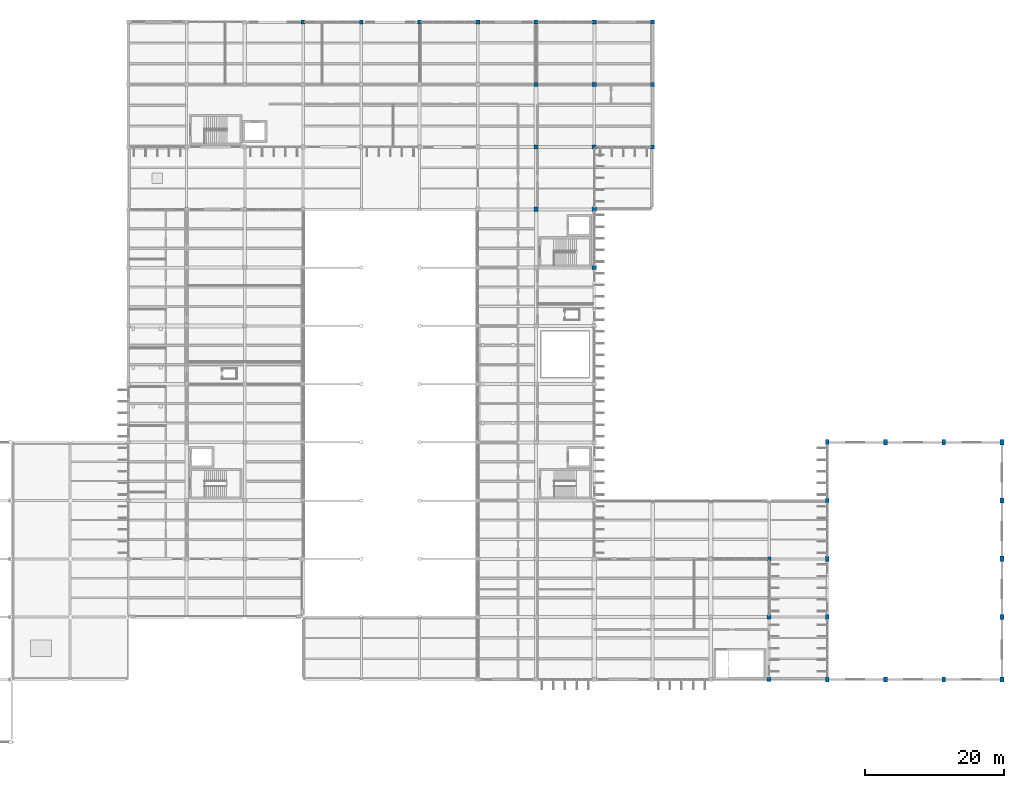
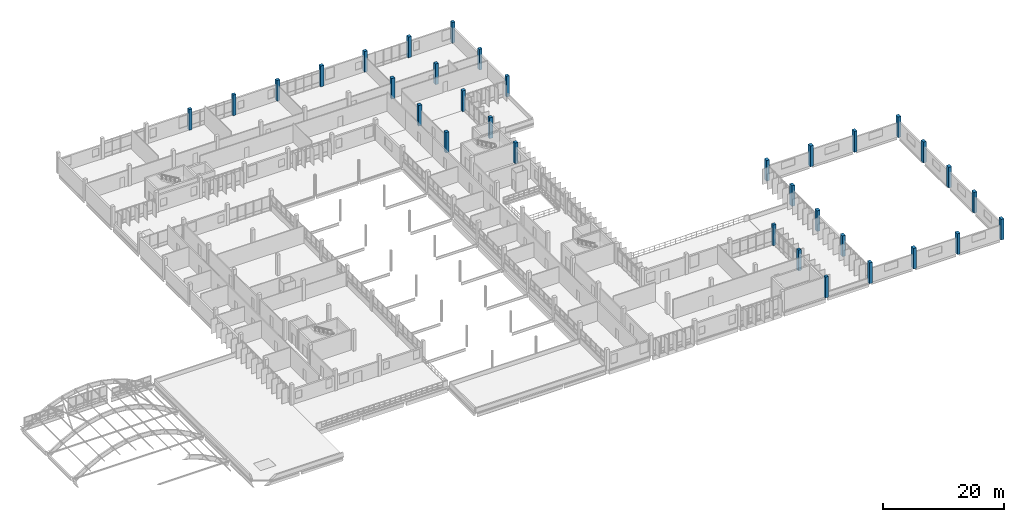
# One storey, part 7 of 130: 33 columns.
"""IFC4 building model written with IfcOpenShell, lengths in metres."""

from ifc_helpers import new_model, si_unit, direction, frame, origin, origin_2d, place, context, subcontext, project, spatial, rectangle, extrude, material, material_profile, profile_set, type_object, element, save


model = new_model("IFC4")

# Units and contexts
model_context = context("Model", 3, precision=1e-05, world=origin(), true_north=direction((0.0, 1.0)))
body_context = subcontext(model_context, "Body", "Model", "MODEL_VIEW")
ifc_project = project(units=[si_unit("LENGTHUNIT", "METRE"), si_unit("AREAUNIT", "SQUARE_METRE"), si_unit("VOLUMEUNIT", "CUBIC_METRE"), si_unit("PLANEANGLEUNIT", "RADIAN"), si_unit("MASSUNIT", "GRAM", prefix="KILO")], contexts=[model_context])

# Site, building, storey
site_placement = place(None, origin())
site = spatial("IfcSite", under=ifc_project, at=site_placement, CompositionType="ELEMENT")
building_placement = place(site_placement, origin())
building = spatial("IfcBuilding", under=site, at=building_placement, Name="Vireocrest Preparatory School", CompositionType="ELEMENT")
storey_placement = place(building_placement, frame((0.0, 0.0, 9.0)))
storey = spatial("IfcBuildingStorey", under=building, at=storey_placement, Name="L02", CompositionType="ELEMENT", Elevation=9.0)

# Columns
ifc_material = material(Name="Concrete 45 MPa", Category="concrete")
ifc_material_profile_1 = material_profile(ifc_material, rectangle(XDim=0.550048828125, YDim=0.550048828125, at=origin_2d()), Name="RC 550x550")
ifc_profile_set_1 = profile_set([ifc_material_profile_1], Name="Concrete 45 MPa")
column_type_1 = type_object("IfcColumnType", Name="RC Column 550x550", PredefinedType="COLUMN", material=ifc_profile_set_1)
for number, where, z_axis, x_axis, name in (
    (1, (67.199951171875, 112.800048828125, 0.0), (0.0, 0.0, 1.0), (1.0, 0.0, 0.0), "Column C04 L02 9/P"),
    (2, (75.60009765625, 112.800048828125, 0.0), (0.0, 0.0, 1.0), (1.0, 0.0, 0.0), "Column C04 L02 10/P"),
    (3, (84.0, 112.800048828125, 0.0), (0.0, 0.0, 1.0), (1.0, 0.0, 0.0), "Column C04 L02 11/P"),
    (4, (117.60009765625, 94.800048828125, 0.0), (0.0, 0.0, 1.0), (1.0, 0.0, 0.0), "Column C04 L02 15/M"),
    (5, (117.60009765625, 103.800048828125, 0.0), (0.0, 0.0, 1.0), (1.0, 0.0, 0.0), "Column C04 L02 15/N"),
    (6, (117.60009765625, 112.800048828125, 0.0), (0.0, 0.0, 1.0), (1.0, 0.0, 0.0), "Column C04 L02 15/P"),
    (7, (134.39990234375, 18.0, 0.0), (0.0, 0.0, 1.0), (1.0, 0.0, 0.0), "Column C04 L02 17/C"),
    (8, (134.39990234375, 27.0, 0.0), (0.0, 0.0, 1.0), (1.0, 0.0, 0.0), "Column C04 L02 17/D"),
    (9, (134.39990234375, 35.39990234375, 0.0), (0.0, 0.0, 1.0), (1.0, 0.0, 0.0), "Column C04 L02 17/E"),
):
    element("IfcColumn", number, at=place(storey_placement, frame(where, z_axis=z_axis, x_axis=x_axis)), inside=storey, type_object=column_type_1, Name=name, PredefinedType="COLUMN", context=body_context, shape_type="SweptSolid", body=[
        extrude(rectangle(XDim=0.550048828125, YDim=0.550048828125, at=origin_2d()), origin(), (0.0, 0.0, 1.0), 4.199951171875),
    ])
ifc_material_profile_2 = material_profile(ifc_material, rectangle(XDim=0.60009765625, YDim=0.60009765625, at=origin_2d()), Name="RC 600x600")
ifc_profile_set_2 = profile_set([ifc_material_profile_2], Name="Concrete 45 MPa")
column_type_2 = type_object("IfcColumnType", Name="RC Column 600x600", PredefinedType="COLUMN", material=ifc_profile_set_2)
for number, where, z_axis, x_axis, name in (
    (10, (92.39990234375, 112.800048828125, 0.0), (0.0, 0.0, 1.0), (1.0, 0.0, 0.0), "Column C05 L02 12/P"),
    (11, (100.800048828125, 85.800048828125, 0.0), (0.0, 0.0, 1.0), (1.0, 0.0, 0.0), "Column C05 L02 13/L"),
    (12, (100.800048828125, 94.800048828125, 0.0), (0.0, 0.0, 1.0), (1.0, 0.0, 0.0), "Column C05 L02 13/M"),
    (13, (100.800048828125, 103.800048828125, 0.0), (0.0, 0.0, 1.0), (1.0, 0.0, 0.0), "Column C05 L02 13/N"),
    (14, (100.800048828125, 112.800048828125, 0.0), (0.0, 0.0, 1.0), (1.0, 0.0, 0.0), "Column C05 L02 13/P"),
    (15, (109.199951171875, 77.39990234375, 0.0), (0.0, 0.0, 1.0), (1.0, 0.0, 0.0), "Column C05 L02 14/K"),
    (16, (109.199951171875, 85.800048828125, 0.0), (0.0, 0.0, 1.0), (1.0, 0.0, 0.0), "Column C05 L02 14/L"),
    (17, (109.199951171875, 94.800048828125, 0.0), (0.0, 0.0, 1.0), (1.0, 0.0, 0.0), "Column C05 L02 14/M"),
    (18, (109.199951171875, 103.800048828125, 0.0), (0.0, 0.0, 1.0), (1.0, 0.0, 0.0), "Column C05 L02 14/N"),
    (19, (109.199951171875, 112.800048828125, 0.0), (0.0, 0.0, 1.0), (1.0, 0.0, 0.0), "Column C05 L02 14/P"),
):
    element("IfcColumn", number, at=place(storey_placement, frame(where, z_axis=z_axis, x_axis=x_axis)), inside=storey, type_object=column_type_2, Name=name, PredefinedType="COLUMN", context=body_context, shape_type="SweptSolid", body=[
        extrude(rectangle(XDim=0.60009765625, YDim=0.60009765625, at=origin_2d()), origin(), (0.0, 0.0, 1.0), 4.199951171875),
    ])
ifc_material_profile_3 = material_profile(ifc_material, rectangle(XDim=0.550048828125, YDim=0.75, at=origin_2d()), Name="RC 550x750")
ifc_profile_set_3 = profile_set([ifc_material_profile_3], Name="Concrete 45 MPa")
column_type_3 = type_object("IfcColumnType", Name="RC Vault Pier 550x750", PredefinedType="COLUMN", material=ifc_profile_set_3)
for number, where, z_axis, x_axis, name in (
    (20, (142.800048828125, 18.0, 0.0), (0.0, 0.0, 1.0), (1.0, 0.0, 0.0), "Column C13 L02 18/C"),
    (21, (142.800048828125, 27.0, 0.0), (0.0, 0.0, 1.0), (1.0, 0.0, 0.0), "Column C13 L02 18/D"),
    (22, (142.800048828125, 35.39990234375, 0.0), (0.0, 0.0, 1.0), (1.0, 0.0, 0.0), "Column C13 L02 18/E"),
    (23, (142.800048828125, 43.800048828125, 0.0), (0.0, 0.0, 1.0), (1.0, 0.0, 0.0), "Column C13 L02 18/F"),
    (24, (142.800048828125, 52.199951171875, 0.0), (0.0, 0.0, 1.0), (1.0, 0.0, 0.0), "Column C13 L02 18/G"),
    (25, (151.199951171875, 18.0, 0.0), (0.0, 0.0, 1.0), (1.0, 0.0, 0.0), "Column C13 L02 19/C"),
    (26, (151.199951171875, 52.199951171875, 0.0), (0.0, 0.0, 1.0), (1.0, 0.0, 0.0), "Column C13 L02 19/G"),
    (27, (159.60009765625, 18.0, 0.0), (0.0, 0.0, 1.0), (1.0, 0.0, 0.0), "Column C13 L02 20/C"),
    (28, (159.60009765625, 52.199951171875, 0.0), (0.0, 0.0, 1.0), (1.0, 0.0, 0.0), "Column C13 L02 20/G"),
    (29, (168.0, 18.0, 0.0), (0.0, 0.0, 1.0), (1.0, 0.0, 0.0), "Column C13 L02 21/C"),
    (30, (168.0, 27.0, 0.0), (0.0, 0.0, 1.0), (1.0, 0.0, 0.0), "Column C13 L02 21/D"),
    (31, (168.0, 35.39990234375, 0.0), (0.0, 0.0, 1.0), (1.0, 0.0, 0.0), "Column C13 L02 21/E"),
    (32, (168.0, 43.800048828125, 0.0), (0.0, 0.0, 1.0), (1.0, 0.0, 0.0), "Column C13 L02 21/F"),
    (33, (168.0, 52.199951171875, 0.0), (0.0, 0.0, 1.0), (1.0, 0.0, 0.0), "Column C13 L02 21/G"),
):
    element("IfcColumn", number, at=place(storey_placement, frame(where, z_axis=z_axis, x_axis=x_axis)), inside=storey, type_object=column_type_3, Name=name, PredefinedType="COLUMN", context=body_context, shape_type="SweptSolid", body=[
        extrude(rectangle(XDim=0.550048828125, YDim=0.75, at=origin_2d()), origin(), (0.0, 0.0, 1.0), 4.199951171875),
    ])

save(model, "model.ifc")
